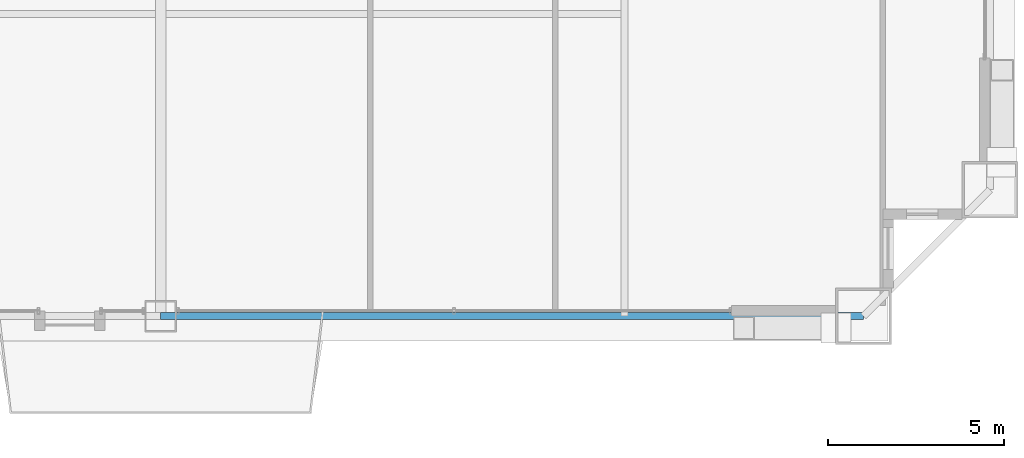
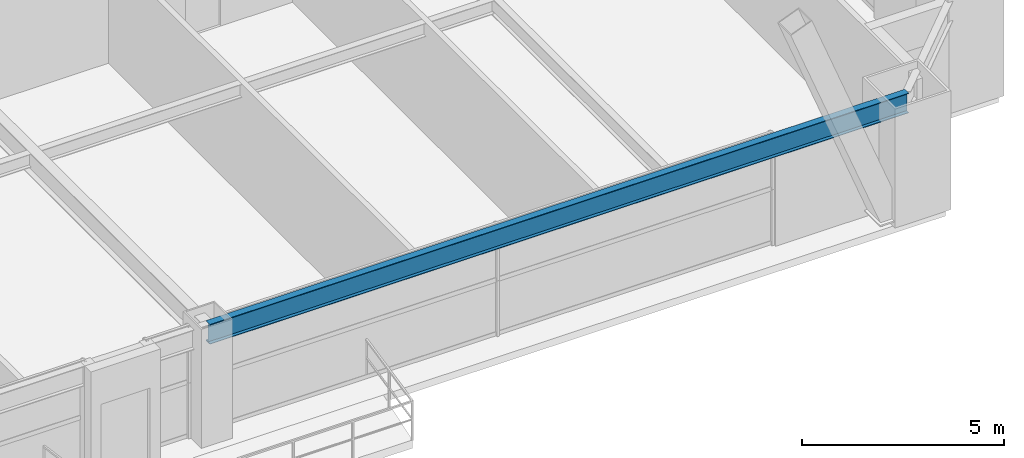
# One storey, part 16 of 43: 1 beam.
"""IFC4 building model written with IfcOpenShell, lengths in metres."""

from ifc_helpers import new_model, si_unit, direction, frame, origin, origin_2d, place, context, subcontext, project, spatial, i_section, extrude, source, transform, mapped, material, material_profile, profile_set, type_object, element, save


model = new_model("IFC4")

# Units and contexts
model_context = context("Model", 3, precision=1e-05, world=origin(), true_north=direction((0.0, 1.0)))
body_context = subcontext(model_context, "Body", "Model", "MODEL_VIEW")
ifc_project = project(units=[si_unit("LENGTHUNIT", "METRE"), si_unit("AREAUNIT", "SQUARE_METRE"), si_unit("VOLUMEUNIT", "CUBIC_METRE"), si_unit("PLANEANGLEUNIT", "RADIAN"), si_unit("MASSUNIT", "GRAM", prefix="KILO"), si_unit("THERMODYNAMICTEMPERATUREUNIT", "KELVIN"), si_unit("POWERUNIT", "WATT")], contexts=[model_context])

# Site, building, storey
site_placement = place(None, origin())
site = spatial("IfcSite", under=ifc_project, at=site_placement, CompositionType="ELEMENT")
building_placement = place(site_placement, origin())
building = spatial("IfcBuilding", under=site, at=building_placement, Name="Yuzanri Waterfront Tower", CompositionType="ELEMENT")
storey_placement = place(building_placement, frame((0.0, 0.0, 138.0)))
storey = spatial("IfcBuildingStorey", under=building, at=storey_placement, Name="L36", CompositionType="ELEMENT", Elevation=138.0)

# Beam
ifc_material = material(Name="Steel Q355B", Category="steel")
ifc_material_profile = material_profile(ifc_material, i_section(OverallWidth=0.199951171875, OverallDepth=0.60009765625, WebThickness=0.010986328125, FlangeThickness=0.01708984375, at=origin_2d()), Name="HN 600x200x11x17")
ifc_profile_set = profile_set([ifc_material_profile], Name="Steel Q355B")
beam_type = type_object("IfcBeamType", Name="Perimeter Spandrel Q355B HN 600x200", PredefinedType="SPANDREL", material=ifc_profile_set)
shared_shape = source(origin(), body_context, "Body", "SweptSolid", [
    extrude(i_section(OverallWidth=0.199951171875, OverallDepth=0.60009765625, WebThickness=0.010986328125, FlangeThickness=0.01708984375, at=origin_2d()), origin(), (0.0, 0.0, 1.0), 20.0),
])
beam_placement = place(storey_placement, frame((37.0, 2.199951171875, 3.080078125), z_axis=(1.0, 0.0, 0.0), x_axis=(0.0, 1.0, 0.0)))
element("IfcBeam", 1, at=beam_placement, inside=storey, type_object=beam_type, Name="L36 Perimeter Spandrel S2-S3", PredefinedType="SPANDREL", context=body_context, shape_type="MappedRepresentation", body=[
    mapped(shared_shape, transform((0.0, 0.0, 0.0), scale=1.0)),
])

save(model, "model.ifc")
